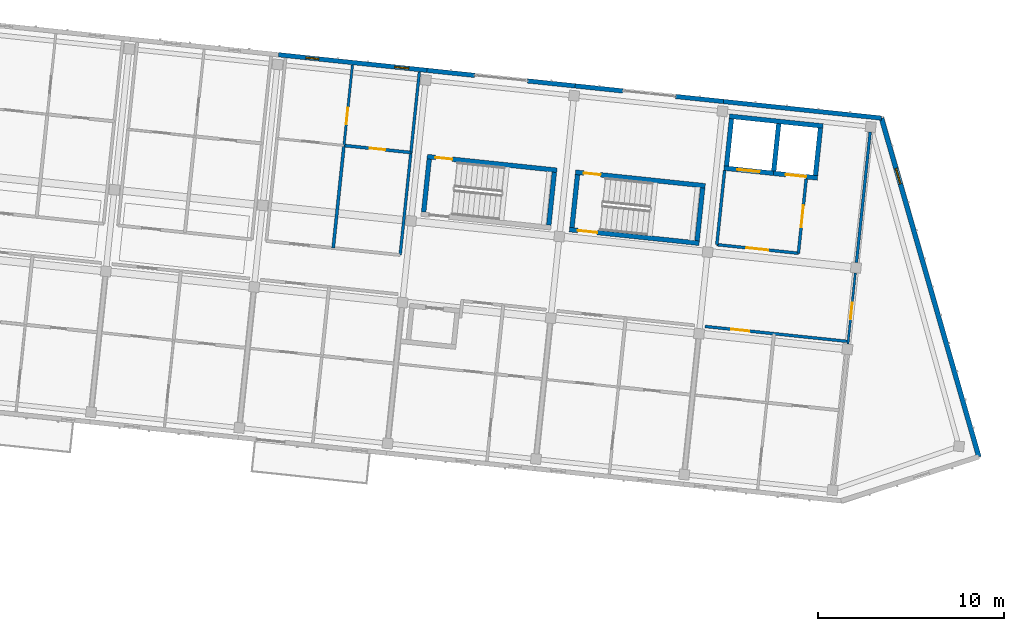
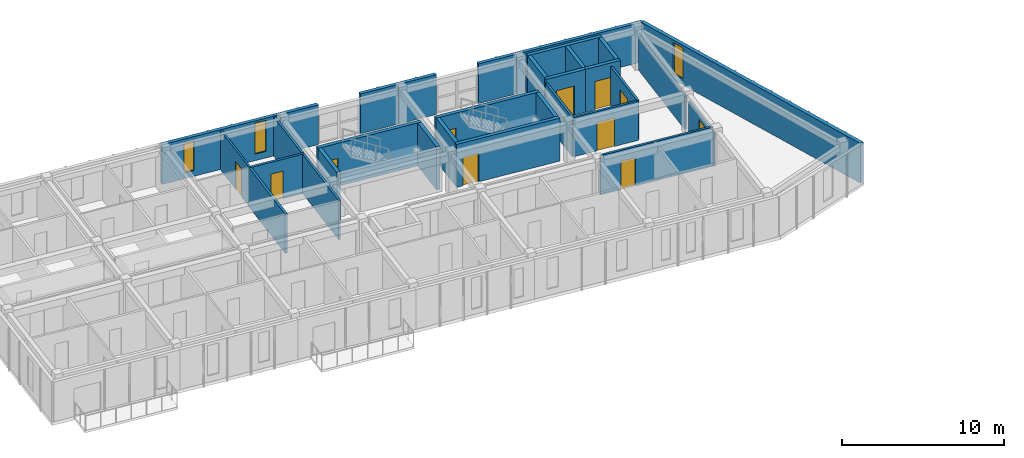
# One storey, part 37 of 65: 30 walls, 11 doors, 3 windows, 14 openings.
"""IFC4 building model written with IfcOpenShell, lengths in metres."""

from ifc_helpers import new_model, si_unit, direction, frame, frame_2d, origin, place, context, subcontext, project, spatial, rectangle, extrude, material, layer, layer_set, type_object, element, fill, save


model = new_model("IFC4")

# Units and contexts
model_context = context("Model", 3, precision=1e-05, world=origin(), true_north=direction((0.0, 1.0)))
body_context = subcontext(model_context, "Body", "Model", "MODEL_VIEW")
ifc_project = project(units=[si_unit("LENGTHUNIT", "METRE"), si_unit("AREAUNIT", "SQUARE_METRE"), si_unit("VOLUMEUNIT", "CUBIC_METRE"), si_unit("PLANEANGLEUNIT", "RADIAN"), si_unit("MASSUNIT", "GRAM", prefix="KILO")], contexts=[model_context])

# Site, building, storey
site_placement = place(None, origin())
site = spatial("IfcSite", under=ifc_project, at=site_placement, CompositionType="ELEMENT")
building_placement = place(site_placement, origin())
building = spatial("IfcBuilding", under=site, at=building_placement, Name="Kestramere Prow Commons", CompositionType="ELEMENT")
storey_placement = place(building_placement, frame((0.0, 0.0, 21.39990234375)))
storey = spatial("IfcBuildingStorey", under=building, at=storey_placement, Name="L06", CompositionType="ELEMENT", Elevation=21.39990234375)

# Wall, opening, window
ifc_material_1 = material(Name="Weathered Zinc-Titanium Standing-Seam Cladding")
ifc_layer_1 = layer(ifc_material_1, 0.260009765625)
ifc_layer_set_1 = layer_set([ifc_layer_1], Name="Weathered Zinc-Titanium Standing-Seam Cladding")
wall_type_1 = type_object("IfcWallType", Name="EW-PROW-260", PredefinedType="SOLIDWALL", material=ifc_layer_set_1)
wall_1_placement = place(storey_placement, frame((160.36279296875, 109.742431640625, 0.0), z_axis=(0.0, 0.0, 1.0), x_axis=(0.276322184526, -0.961065060409, 0.0)))
wall_1 = element("IfcWall", 1, at=wall_1_placement, inside=storey, type_object=wall_type_1, Name="Block B L06 PRW-N Facet Wall", PredefinedType="SOLIDWALL", context=body_context, shape_type="SweptSolid", body=[
    extrude(rectangle(XDim=18.90673828125, YDim=0.260009765625, at=frame_2d((9.453369140625, 0.0))), origin(), (0.0, 0.0, 1.0), 3.0),
])
opening_1_placement = place(wall_1_placement, frame((2.81005859375, 0.0, 0.449951171875)))
opening_1 = element("IfcOpeningElement", 2, at=opening_1_placement, cuts=wall_1, Name="Opening WN-15", PredefinedType="OPENING", context=body_context, shape_type="SweptSolid", body=[
    extrude(rectangle(XDim=0.860107421875, YDim=2.360107421875, at=frame_2d((0.43017578125, 1.18017578125))), frame((0.0, 0.14501953125, 0.0), z_axis=(0.0, -1.0, 0.0), x_axis=(1.0, 0.0, 0.0)), (0.0, 0.0, 1.0), 0.2900390625),
])
ifc_material_2 = material(Name="Low-E Laminated Double Glazing", Category="glass")
window_type_1 = type_object("IfcWindowType", Name="WN-NAR-860A", PartitioningType="DOUBLE_PANEL_VERTICAL", PredefinedType="WINDOW", material=ifc_material_2)
window_1_placement = place(opening_1_placement, origin())
window_1 = element("IfcWindow", 3, at=window_1_placement, inside=storey, type_object=window_type_1, Name="WN-B-L06-PRW-N-0", OverallHeight=2.360107421875, OverallWidth=0.860107421875, PartitioningType="SINGLE_PANEL", PredefinedType="WINDOW", context=body_context, shape_type="SweptSolid", body=[
    extrude(rectangle(XDim=0.860107421875, YDim=2.360107421875, at=frame_2d((0.43017578125, 1.18017578125))), frame((0.0, 0.030029296875, 0.0), z_axis=(0.0, -1.0, 0.0), x_axis=(1.0, 0.0, 0.0)), (0.0, 0.0, 1.0), 0.06005859375),
])
fill(opening_1, window_1)

# Wall, openings, windows
ifc_material_3 = material(Name="Fluoropolymer Standing-Seam Zinc-Aluminium Cladding", Category="aluminium")
ifc_layer_2 = layer(ifc_material_3, 0.239990234375)
ifc_layer_set_2 = layer_set([ifc_layer_2], Name="Fluoropolymer Standing-Seam Zinc-Aluminium Cladding")
wall_type_2 = type_object("IfcWallType", Name="EW-SEAM-240", PredefinedType="SOLIDWALL", material=ifc_layer_set_2)
wall_2_placement = place(storey_placement, frame((128.015869140625, 113.142333984375, 0.0), z_axis=(0.0, 0.0, 1.0), x_axis=(0.994522662826, -0.104521161134, 0.0)))
wall_2 = element("IfcWall", 4, at=wall_2_placement, inside=storey, type_object=wall_type_2, Name="Block B L06 North Standing-Seam Wall 3", PredefinedType="SOLIDWALL", context=body_context, shape_type="SweptSolid", body=[
    extrude(rectangle(XDim=8.0, YDim=0.239990234375, at=frame_2d((4.0, 0.0))), origin(), (0.0, 0.0, 1.0), 3.0),
])
opening_2_placement = place(wall_2_placement, frame((1.47998046875, 0.0, 0.43994140625)))
opening_2 = element("IfcOpeningElement", 5, at=opening_2_placement, cuts=wall_2, Name="Opening WN-06", PredefinedType="OPENING", context=body_context, shape_type="SweptSolid", body=[
    extrude(rectangle(XDim=0.679931640625, YDim=2.239990234375, at=frame_2d((0.33984375, 1.1201171875))), frame((0.0, 0.135009765625, 0.0), z_axis=(0.0, -1.0, 0.0), x_axis=(1.0, 0.0, 0.0)), (0.0, 0.0, 1.0), 0.27001953125),
])
opening_3_placement = place(wall_2_placement, frame((6.2705078125, 0.0, 0.5)))
opening_3 = element("IfcOpeningElement", 6, at=opening_3_placement, cuts=wall_2, Name="Opening WN-10", PredefinedType="OPENING", context=body_context, shape_type="SweptSolid", body=[
    extrude(rectangle(XDim=0.760009765625, YDim=2.340087890625, at=frame_2d((0.3798828125, 1.169921875))), frame((0.0, 0.135009765625, 0.0), z_axis=(0.0, -1.0, 0.0), x_axis=(1.0, 0.0, 0.0)), (0.0, 0.0, 1.0), 0.27001953125),
])
window_type_2 = type_object("IfcWindowType", Name="WN-NAR-680A", PartitioningType="SINGLE_PANEL", PredefinedType="WINDOW", material=ifc_material_2)
window_2_placement = place(opening_2_placement, origin())
window_2 = element("IfcWindow", 7, at=window_2_placement, inside=storey, type_object=window_type_2, Name="WN-B-L06-N-2-0", OverallHeight=2.239990234375, OverallWidth=0.679931640625, PartitioningType="SINGLE_PANEL", PredefinedType="WINDOW", context=body_context, shape_type="SweptSolid", body=[
    extrude(rectangle(XDim=0.679931640625, YDim=2.239990234375, at=frame_2d((0.33984375, 1.1201171875))), frame((0.0, 0.030029296875, 0.0), z_axis=(0.0, -1.0, 0.0), x_axis=(1.0, 0.0, 0.0)), (0.0, 0.0, 1.0), 0.06005859375),
])
fill(opening_2, window_2)
window_type_3 = type_object("IfcWindowType", Name="WN-NAR-760A", PartitioningType="SINGLE_PANEL", PredefinedType="WINDOW", material=ifc_material_2)
window_3_placement = place(opening_3_placement, origin())
window_3 = element("IfcWindow", 8, at=window_3_placement, inside=storey, type_object=window_type_3, Name="WN-B-L06-N-2-1", OverallHeight=2.340087890625, OverallWidth=0.760009765625, PartitioningType="SINGLE_PANEL", PredefinedType="WINDOW", context=body_context, shape_type="SweptSolid", body=[
    extrude(rectangle(XDim=0.760009765625, YDim=2.340087890625, at=frame_2d((0.3798828125, 1.169921875))), frame((0.0, 0.030029296875, 0.0), z_axis=(0.0, -1.0, 0.0), x_axis=(1.0, 0.0, 0.0)), (0.0, 0.0, 1.0), 0.06005859375),
])
fill(opening_3, window_3)

# Walls
for number, where, z_axis, x_axis, name in (
    (9, (135.97216796875, 112.30615234375, 0.0), (0.0, 0.0, 1.0), (0.99451635776, -0.104581136677, 0.0), "Block B L06 North Standing-Seam Pier 4L"),
    (10, (141.367431640625, 111.739013671875, 0.0), (0.0, 0.0, 1.0), (0.99451635776, -0.104581136677, 0.0), "Block B L06 North Standing-Seam Pier 4R"),
):
    element("IfcWall", number, at=place(storey_placement, frame(where, z_axis=z_axis, x_axis=x_axis)), inside=storey, type_object=wall_type_2, Name=name, PredefinedType="SOLIDWALL", context=body_context, shape_type="SweptSolid", body=[
        extrude(rectangle(XDim=2.574951171875, YDim=0.239990234375, at=frame_2d((1.28759765625, 0.0))), origin(), (0.0, 0.0, 1.0), 3.0),
    ])
wall_3_placement = place(storey_placement, frame((143.92822265625, 111.4697265625, 0.0), z_axis=(0.0, 0.0, 1.0), x_axis=(0.994527249958, -0.104477505191, 0.0)))
element("IfcWall", 11, at=wall_3_placement, inside=storey, type_object=wall_type_2, Name="Block B L06 North Standing-Seam Pier 5L", PredefinedType="SOLIDWALL", context=body_context, shape_type="SweptSolid", body=[
    extrude(rectangle(XDim=2.5751953125, YDim=0.239990234375, at=frame_2d((1.28759765625, 0.0))), origin(), (0.0, 0.0, 1.0), 3.0),
])
wall_4_placement = place(storey_placement, frame((149.32373046875, 110.90283203125, 0.0), z_axis=(0.0, 0.0, 1.0), x_axis=(0.99451635776, -0.104581136677, 0.0)))
element("IfcWall", 12, at=wall_4_placement, inside=storey, type_object=wall_type_2, Name="Block B L06 North Standing-Seam Pier 5R", PredefinedType="SOLIDWALL", context=body_context, shape_type="SweptSolid", body=[
    extrude(rectangle(XDim=2.574951171875, YDim=0.239990234375, at=frame_2d((1.28759765625, 0.0))), origin(), (0.0, 0.0, 1.0), 3.0),
])
wall_5_placement = place(storey_placement, frame((151.884521484375, 110.633544921875, 0.0), z_axis=(0.0, 0.0, 1.0), x_axis=(0.994521760736, -0.104529744196, 0.0)))
element("IfcWall", 13, at=wall_5_placement, inside=storey, type_object=wall_type_2, Name="Block B L06 North Standing-Seam Wall 6", PredefinedType="SOLIDWALL", context=body_context, shape_type="SweptSolid", body=[
    extrude(rectangle(XDim=8.52490234375, YDim=0.239990234375, at=frame_2d((4.262451171875, 0.0))), origin(), (0.0, 0.0, 1.0), 3.0),
])
ifc_material_4 = material(Name="Concrete C40/50", Category="concrete")
ifc_layer_3 = layer(ifc_material_4, 0.25)
ifc_layer_set_3 = layer_set([ifc_layer_3], Name="Concrete C40/50")
wall_type_3 = type_object("IfcWallType", Name="W-CORE-250", PredefinedType="SHEAR", material=ifc_layer_set_3)
wall_6_placement = place(storey_placement, frame((152.203857421875, 109.845947265625, 0.0), z_axis=(0.0, 0.0, 1.0), x_axis=(0.994522922189, -0.104518693261, 0.0)))
element("IfcWall", 14, at=wall_6_placement, inside=storey, type_object=wall_type_3, Name="Block B L06 Lift Core Back Wall", PredefinedType="SHEAR", context=body_context, shape_type="SweptSolid", body=[
    extrude(rectangle(XDim=5.050048828125, YDim=0.25, at=frame_2d((2.52490234375, 0.0))), origin(), (0.0, 0.0, 1.0), 3.25),
])

# Wall, opening, door
wall_7_placement = place(storey_placement, frame((151.9111328125, 107.061279296875, 0.0), z_axis=(0.0, 0.0, 1.0), x_axis=(0.994524939068, -0.104499500343, 0.0)))
wall_7 = element("IfcWall", 15, at=wall_7_placement, inside=storey, type_object=wall_type_3, Name="Block B L06 Fire Lift Shaft Front Wall", PredefinedType="SHEAR", context=body_context, shape_type="SweptSolid", body=[
    extrude(rectangle(XDim=2.675048828125, YDim=0.25, at=frame_2d((1.33740234375, 0.0))), origin(), (0.0, 0.0, 1.0), 3.25),
])
opening_4_placement = place(wall_7_placement, frame((0.719970703125, 0.0, 0.0)))
opening_4 = element("IfcOpeningElement", 16, at=opening_4_placement, cuts=wall_7, Name="Opening LD-02", PredefinedType="OPENING", context=body_context, shape_type="SweptSolid", body=[
    extrude(rectangle(XDim=1.199951171875, YDim=2.199951171875, at=frame_2d((0.60009765625, 1.10009765625))), frame((0.0, 0.139892578125, 0.0), z_axis=(0.0, -1.0, 0.0), x_axis=(1.0, 0.0, 0.0)), (0.0, 0.0, 1.0), 0.280029296875),
])
ifc_material_5 = material(Name="Brushed Stainless Steel 316", Category="steel")
door_type_1 = type_object("IfcDoorType", Name="LD-02", OperationType="DOUBLE_DOOR_SLIDING", PredefinedType="DOOR", material=ifc_material_5)
door_1_placement = place(opening_4_placement, origin())
door_1 = element("IfcDoor", 17, at=door_1_placement, inside=storey, type_object=door_type_1, Name="FL-B1 L06 Lift Landing Door", OperationType="DOUBLE_DOOR_SLIDING", OverallHeight=2.199951171875, OverallWidth=1.199951171875, PredefinedType="DOOR", context=body_context, shape_type="SweptSolid", body=[
    extrude(rectangle(XDim=1.199951171875, YDim=2.199951171875, at=frame_2d((0.60009765625, 1.10009765625))), frame((0.0, 0.02490234375, 0.0), z_axis=(0.0, -1.0, 0.0), x_axis=(1.0, 0.0, 0.0)), (0.0, 0.0, 1.0), 0.050048828125),
])
fill(opening_4, door_1)

wall_8_placement = place(storey_placement, frame((154.571533203125, 106.78173828125, 0.0), z_axis=(0.0, 0.0, 1.0), x_axis=(0.994520650134, -0.1045403102, 0.0)))
wall_8 = element("IfcWall", 18, at=wall_8_placement, inside=storey, type_object=wall_type_3, Name="Block B L06 Passenger Lift Shaft Front Wall", PredefinedType="SHEAR", context=body_context, shape_type="SweptSolid", body=[
    extrude(rectangle(XDim=2.375, YDim=0.25, at=frame_2d((1.1875, 0.0))), origin(), (0.0, 0.0, 1.0), 3.25),
])
opening_5_placement = place(wall_8_placement, frame((0.64990234375, 0.0, 0.0)))
opening_5 = element("IfcOpeningElement", 19, at=opening_5_placement, cuts=wall_8, Name="Opening LD-01", PredefinedType="OPENING", context=body_context, shape_type="SweptSolid", body=[
    extrude(rectangle(XDim=1.10009765625, YDim=2.14990234375, at=frame_2d((0.550048828125, 1.074951171875))), frame((0.0, 0.139892578125, 0.0), z_axis=(0.0, -1.0, 0.0), x_axis=(1.0, 0.0, 0.0)), (0.0, 0.0, 1.0), 0.280029296875),
])
ifc_material_6 = material(Name="Brushed Stainless Steel 304", Category="steel")
door_type_2 = type_object("IfcDoorType", Name="LD-01", OperationType="DOUBLE_DOOR_SLIDING", PredefinedType="DOOR", material=ifc_material_6)
door_2_placement = place(opening_5_placement, origin())
door_2 = element("IfcDoor", 20, at=door_2_placement, inside=storey, type_object=door_type_2, Name="PL-B2 L06 Lift Landing Door", OperationType="DOUBLE_DOOR_SLIDING", OverallHeight=2.14990234375, OverallWidth=1.10009765625, PredefinedType="DOOR", context=body_context, shape_type="SweptSolid", body=[
    extrude(rectangle(XDim=1.10009765625, YDim=2.14990234375, at=frame_2d((0.550048828125, 1.074951171875))), frame((0.0, 0.02490234375, 0.0), z_axis=(0.0, -1.0, 0.0), x_axis=(1.0, 0.0, 0.0)), (0.0, 0.0, 1.0), 0.050048828125),
])
fill(opening_5, door_2)

# Walls
for number, where, z_axis, x_axis, name in (
    (21, (152.048583984375, 107.172607421875, 0.0), (0.0, 0.0, 1.0), (0.104555197931, 0.994519085079, 0.0), "Block B L06 Lift Core Side Wall L"),
    (22, (154.584716796875, 106.906005859375, 0.0), (0.0, 0.0, 1.0), (0.104555197931, 0.994519085079, 0.0), "Block B L06 Lift Core Side Wall M"),
):
    element("IfcWall", number, at=place(storey_placement, frame(where, z_axis=z_axis, x_axis=x_axis)), inside=storey, type_object=wall_type_3, Name=name, PredefinedType="SHEAR", context=body_context, shape_type="SweptSolid", body=[
        extrude(rectangle(XDim=2.5498046875, YDim=0.25, at=frame_2d((1.27490234375, 0.0))), origin(), (0.0, 0.0, 1.0), 3.25),
    ])
wall_9_placement = place(storey_placement, frame((156.822265625, 106.670654296875, 0.0), z_axis=(0.0, 0.0, 1.0), x_axis=(0.104545242946, 0.99452013161, 0.0)))
element("IfcWall", 23, at=wall_9_placement, inside=storey, type_object=wall_type_3, Name="Block B L06 Lift Core Side Wall R", PredefinedType="SHEAR", context=body_context, shape_type="SweptSolid", body=[
    extrude(rectangle(XDim=2.550048828125, YDim=0.25, at=frame_2d((1.27490234375, 0.0))), origin(), (0.0, 0.0, 1.0), 3.25),
])

# Wall, opening, door
wall_10_placement = place(storey_placement, frame((135.988525390625, 107.678955078125, 0.0), z_axis=(0.0, 0.0, 1.0), x_axis=(0.994522066748, -0.104526832686, 0.0)))
wall_10 = element("IfcWall", 24, at=wall_10_placement, inside=storey, type_object=wall_type_3, Name="ST-B1 L06 North Shaft Wall", PredefinedType="SHEAR", context=body_context, shape_type="SweptSolid", body=[
    extrude(rectangle(XDim=7.0, YDim=0.25, at=frame_2d((3.5, 0.0))), origin(), (0.0, 0.0, 1.0), 3.25),
])
opening_6_placement = place(wall_10_placement, frame((0.449951171875, 0.0, 0.0)))
opening_6 = element("IfcOpeningElement", 25, at=opening_6_placement, cuts=wall_10, Name="Opening ID-08", PredefinedType="OPENING", context=body_context, shape_type="SweptSolid", body=[
    extrude(rectangle(XDim=0.89990234375, YDim=2.10009765625, at=frame_2d((0.449951171875, 1.050048828125))), frame((0.0, 0.139892578125, 0.0), z_axis=(0.0, -1.0, 0.0), x_axis=(1.0, 0.0, 0.0)), (0.0, 0.0, 1.0), 0.280029296875),
])
ifc_material_7 = material(Name="Engineered Timber Flush Door", Category="wood")
door_type_3 = type_object("IfcDoorType", Name="D-RM-01", OperationType="NOTDEFINED", PredefinedType="DOOR", material=ifc_material_7)
door_3_placement = place(opening_6_placement, origin())
door_3 = element("IfcDoor", 26, at=door_3_placement, inside=storey, type_object=door_type_3, Name="ST-B1 L06 North Room Door", OperationType="SINGLE_SWING_RIGHT", OverallHeight=2.10009765625, OverallWidth=0.89990234375, PredefinedType="DOOR", context=body_context, shape_type="SweptSolid", body=[
    extrude(rectangle(XDim=0.89990234375, YDim=2.10009765625, at=frame_2d((0.449951171875, 1.050048828125))), frame((0.0, 0.02490234375, 0.0), z_axis=(0.0, -1.0, 0.0), x_axis=(1.0, 0.0, 0.0)), (0.0, 0.0, 1.0), 0.050048828125),
])
fill(opening_6, door_3)

# Walls
for number, where, z_axis, x_axis, name in (
    (27, (135.802001953125, 104.707275390625, 0.0), (0.0, 0.0, 1.0), (0.104515324063, 0.994523276267, 0.0), "ST-B1 L06 Near Shaft Wall"),
    (28, (142.514892578125, 104.001708984375, 0.0), (0.0, 0.0, 1.0), (0.104515324063, 0.994523276267, 0.0), "ST-B1 L06 Far Shaft Wall"),
):
    element("IfcWall", number, at=place(storey_placement, frame(where, z_axis=z_axis, x_axis=x_axis)), inside=storey, type_object=wall_type_3, Name=name, PredefinedType="SHEAR", context=body_context, shape_type="SweptSolid", body=[
        extrude(rectangle(XDim=2.849853515625, YDim=0.25, at=frame_2d((1.4248046875, 0.0))), origin(), (0.0, 0.0, 1.0), 3.25),
    ])

# Wall, opening, door
wall_11_placement = place(storey_placement, frame((143.94482421875, 106.8427734375, 0.0), z_axis=(0.0, 0.0, 1.0), x_axis=(0.994522066748, -0.104526832686, 0.0)))
wall_11 = element("IfcWall", 29, at=wall_11_placement, inside=storey, type_object=wall_type_3, Name="ST-B2 L06 North Shaft Wall", PredefinedType="SHEAR", context=body_context, shape_type="SweptSolid", body=[
    extrude(rectangle(XDim=7.0, YDim=0.25, at=frame_2d((3.5, 0.0))), origin(), (0.0, 0.0, 1.0), 3.25),
])
opening_7_placement = place(wall_11_placement, frame((0.449951171875, 0.0, 0.0)))
opening_7 = element("IfcOpeningElement", 30, at=opening_7_placement, cuts=wall_11, Name="Opening ID-08", PredefinedType="OPENING", context=body_context, shape_type="SweptSolid", body=[
    extrude(rectangle(XDim=0.89990234375, YDim=2.10009765625, at=frame_2d((0.449951171875, 1.050048828125))), frame((0.0, 0.139892578125, 0.0), z_axis=(0.0, -1.0, 0.0), x_axis=(1.0, 0.0, 0.0)), (0.0, 0.0, 1.0), 0.280029296875),
])
door_4_placement = place(opening_7_placement, origin())
door_4 = element("IfcDoor", 31, at=door_4_placement, inside=storey, type_object=door_type_3, Name="ST-B2 L06 North Room Door", OperationType="SINGLE_SWING_RIGHT", OverallHeight=2.10009765625, OverallWidth=0.89990234375, PredefinedType="DOOR", context=body_context, shape_type="SweptSolid", body=[
    extrude(rectangle(XDim=0.89990234375, YDim=2.10009765625, at=frame_2d((0.449951171875, 1.050048828125))), frame((0.0, 0.02490234375, 0.0), z_axis=(0.0, -1.0, 0.0), x_axis=(1.0, 0.0, 0.0)), (0.0, 0.0, 1.0), 0.050048828125),
])
fill(opening_7, door_4)

wall_12_placement = place(storey_placement, frame((143.62060546875, 103.759765625, 0.0), z_axis=(0.0, 0.0, 1.0), x_axis=(0.994522066748, -0.104526832686, 0.0)))
wall_12 = element("IfcWall", 32, at=wall_12_placement, inside=storey, type_object=wall_type_3, Name="ST-B2 L06 Corridor Shaft Wall", PredefinedType="SHEAR", context=body_context, shape_type="SweptSolid", body=[
    extrude(rectangle(XDim=7.0, YDim=0.25, at=frame_2d((3.5, 0.0))), origin(), (0.0, 0.0, 1.0), 3.25),
])
opening_8_placement = place(wall_12_placement, frame((0.449951171875, 0.0, 0.0)))
opening_8 = element("IfcOpeningElement", 33, at=opening_8_placement, cuts=wall_12, Name="Opening ID-01", PredefinedType="OPENING", context=body_context, shape_type="SweptSolid", body=[
    extrude(rectangle(XDim=1.050048828125, YDim=2.14990234375, at=frame_2d((0.52490234375, 1.074951171875))), frame((0.0, 0.139892578125, 0.0), z_axis=(0.0, -1.0, 0.0), x_axis=(1.0, 0.0, 0.0)), (0.0, 0.0, 1.0), 0.280029296875),
])
ifc_material_8 = material(Name="Fire-Rated Timber and Steel Frame", Category="steel")
door_type_4 = type_object("IfcDoorType", Name="FD-ST-01", OperationType="NOTDEFINED", PredefinedType="DOOR", material=ifc_material_8)
door_5_placement = place(opening_8_placement, origin())
door_5 = element("IfcDoor", 34, at=door_5_placement, inside=storey, type_object=door_type_4, Name="ST-B2 L06 Protected Stair Door", OperationType="SINGLE_SWING_LEFT", OverallHeight=2.14990234375, OverallWidth=1.050048828125, PredefinedType="DOOR", context=body_context, shape_type="SweptSolid", body=[
    extrude(rectangle(XDim=1.050048828125, YDim=2.14990234375, at=frame_2d((0.52490234375, 1.074951171875))), frame((0.0, 0.02490234375, 0.0), z_axis=(0.0, -1.0, 0.0), x_axis=(1.0, 0.0, 0.0)), (0.0, 0.0, 1.0), 0.050048828125),
])
fill(opening_8, door_5)

# Walls
for number, where, z_axis, x_axis, name in (
    (35, (143.758056640625, 103.87109375, 0.0), (0.0, 0.0, 1.0), (0.104515324063, 0.994523276267, 0.0), "ST-B2 L06 Near Shaft Wall"),
    (36, (150.47119140625, 103.16552734375, 0.0), (0.0, 0.0, 1.0), (0.104515324063, 0.994523276267, 0.0), "ST-B2 L06 Far Shaft Wall"),
):
    element("IfcWall", number, at=place(storey_placement, frame(where, z_axis=z_axis, x_axis=x_axis)), inside=storey, type_object=wall_type_3, Name=name, PredefinedType="SHEAR", context=body_context, shape_type="SweptSolid", body=[
        extrude(rectangle(XDim=2.849853515625, YDim=0.25, at=frame_2d((1.4248046875, 0.0))), origin(), (0.0, 0.0, 1.0), 3.25),
    ])

# Wall, opening, door
ifc_material_9 = material(Name="Fire-Rated Calcium Silicate Wall")
ifc_layer_4 = layer(ifc_material_9, 0.155029296875)
ifc_layer_set_4 = layer_set([ifc_layer_4], Name="Fire-Rated Calcium Silicate Wall")
wall_type_4 = type_object("IfcWallType", Name="W-FIRE-150", PredefinedType="PARTITIONING", material=ifc_layer_set_4)
wall_13_placement = place(storey_placement, frame((151.52978515625, 102.95361328125, 0.0), z_axis=(0.0, 0.0, 1.0), x_axis=(0.994521251134, -0.104534592565, 0.0)))
wall_13 = element("IfcWall", 37, at=wall_13_placement, inside=storey, type_object=wall_type_4, Name="Interior Partition PW-B-L06-FFL-S", PredefinedType="PARTITIONING", context=body_context, shape_type="SweptSolid", body=[
    extrude(rectangle(XDim=4.400146484375, YDim=0.155029296875, at=frame_2d((2.2001953125, 0.0))), origin(), (0.0, 0.0, 1.0), 2.97021484375),
])
opening_9_placement = place(wall_13_placement, frame((1.60009765625, 0.0, 0.0)))
opening_9 = element("IfcOpeningElement", 38, at=opening_9_placement, cuts=wall_13, Name="Opening ID-03", PredefinedType="OPENING", context=body_context, shape_type="SweptSolid", body=[
    extrude(rectangle(XDim=1.179931640625, YDim=2.14990234375, at=frame_2d((0.58984375, 1.074951171875))), frame((0.0, 0.092529296875, 0.0), z_axis=(0.0, -1.0, 0.0), x_axis=(1.0, 0.0, 0.0)), (0.0, 0.0, 1.0), 0.18505859375),
])
ifc_material_10 = material(Name="Fire-Rated Glazed Smoke-Stop Door")
door_type_5 = type_object("IfcDoorType", Name="FD-LB-01", OperationType="NOTDEFINED", PredefinedType="DOOR", material=ifc_material_10)
door_6_placement = place(opening_9_placement, origin())
door_6 = element("IfcDoor", 39, at=door_6_placement, inside=storey, type_object=door_type_5, Name="Interior Door DR-B-L06-FFL", OperationType="SINGLE_SWING_LEFT", OverallHeight=2.14990234375, OverallWidth=1.179931640625, PredefinedType="DOOR", context=body_context, shape_type="SweptSolid", body=[
    extrude(rectangle(XDim=1.179931640625, YDim=2.14990234375, at=frame_2d((0.58984375, 1.074951171875))), frame((0.0, 0.02490234375, 0.0), z_axis=(0.0, -1.0, 0.0), x_axis=(1.0, 0.0, 0.0)), (0.0, 0.0, 1.0), 0.050048828125),
])
fill(opening_9, door_6)

# Wall
wall_14_placement = place(storey_placement, frame((151.52978515625, 102.95361328125, 0.0), z_axis=(0.0, 0.0, 1.0), x_axis=(0.104554517933, 0.994519156568, 0.0)))
element("IfcWall", 40, at=wall_14_placement, inside=storey, type_object=wall_type_4, Name="Interior Partition PW-B-L06-FFL-W", PredefinedType="PARTITIONING", context=body_context, shape_type="SweptSolid", body=[
    extrude(rectangle(XDim=4.0, YDim=0.155029296875, at=frame_2d((2.0, 0.0))), origin(), (0.0, 0.0, 1.0), 2.97021484375),
])

# Wall, opening, door
wall_15_placement = place(storey_placement, frame((155.90576171875, 102.49365234375, 0.0), z_axis=(0.0, 0.0, 1.0), x_axis=(0.104494148666, 0.99452550138, 0.0)))
wall_15 = element("IfcWall", 41, at=wall_15_placement, inside=storey, type_object=wall_type_4, Name="Interior Partition PW-B-L06-FFL-E", PredefinedType="PARTITIONING", context=body_context, shape_type="SweptSolid", body=[
    extrude(rectangle(XDim=4.0, YDim=0.155029296875, at=frame_2d((2.0, 0.0))), origin(), (0.0, 0.0, 1.0), 2.97021484375),
])
opening_10_placement = place(wall_15_placement, frame((1.39990234375, 0.0, 0.0)))
opening_10 = element("IfcOpeningElement", 42, at=opening_10_placement, cuts=wall_15, Name="Opening ID-03", PredefinedType="OPENING", context=body_context, shape_type="SweptSolid", body=[
    extrude(rectangle(XDim=1.179931640625, YDim=2.14990234375, at=frame_2d((0.58984375, 1.074951171875))), frame((0.0, 0.092529296875, 0.0), z_axis=(0.0, -1.0, 0.0), x_axis=(1.0, 0.0, 0.0)), (0.0, 0.0, 1.0), 0.18505859375),
])
door_7_placement = place(opening_10_placement, origin())
door_7 = element("IfcDoor", 43, at=door_7_placement, inside=storey, type_object=door_type_5, Name="Interior Door DR-B-L06-FFL-PL", OperationType="SINGLE_SWING_LEFT", OverallHeight=2.14990234375, OverallWidth=1.179931640625, PredefinedType="DOOR", context=body_context, shape_type="SweptSolid", body=[
    extrude(rectangle(XDim=1.179931640625, YDim=2.14990234375, at=frame_2d((0.58984375, 1.074951171875))), frame((0.0, 0.02490234375, 0.0), z_axis=(0.0, -1.0, 0.0), x_axis=(1.0, 0.0, 0.0)), (0.0, 0.0, 1.0), 0.050048828125),
])
fill(opening_10, door_7)

wall_16_placement = place(storey_placement, frame((150.902587890625, 98.565185546875, 0.0), z_axis=(0.0, 0.0, 1.0), x_axis=(0.994522762445, -0.104520213258, 0.0)))
wall_16 = element("IfcWall", 44, at=wall_16_placement, inside=storey, type_object=wall_type_4, Name="Interior Partition PW-B-L06-CS-5", PredefinedType="PARTITIONING", context=body_context, shape_type="SweptSolid", body=[
    extrude(rectangle(XDim=7.645263671875, YDim=0.155029296875, at=frame_2d((3.82275390625, 0.0))), origin(), (0.0, 0.0, 1.0), 2.97021484375),
])
opening_11_placement = place(wall_16_placement, frame((1.405029296875, 0.0, 0.0)))
opening_11 = element("IfcOpeningElement", 45, at=opening_11_placement, cuts=wall_16, Name="Opening ID-04", PredefinedType="OPENING", context=body_context, shape_type="SweptSolid", body=[
    extrude(rectangle(XDim=0.97998046875, YDim=2.14990234375, at=frame_2d((0.489990234375, 1.074951171875))), frame((0.0, 0.092529296875, 0.0), z_axis=(0.0, -1.0, 0.0), x_axis=(1.0, 0.0, 0.0)), (0.0, 0.0, 1.0), 0.18505859375),
])
ifc_material_11 = material(Name="Hardwood Fire-Rated Flat Entrance Door", Category="wood")
door_type_6 = type_object("IfcDoorType", Name="FD-ENT-01", OperationType="NOTDEFINED", PredefinedType="DOOR", material=ifc_material_11)
door_8_placement = place(opening_11_placement, origin())
door_8 = element("IfcDoor", 46, at=door_8_placement, inside=storey, type_object=door_type_6, Name="Interior Door DR-B-L06-ENT-S5", OperationType="SINGLE_SWING_RIGHT", OverallHeight=2.14990234375, OverallWidth=0.97998046875, PredefinedType="DOOR", context=body_context, shape_type="SweptSolid", body=[
    extrude(rectangle(XDim=0.97998046875, YDim=2.14990234375, at=frame_2d((0.489990234375, 1.074951171875))), frame((0.0, 0.02490234375, 0.0), z_axis=(0.0, -1.0, 0.0), x_axis=(1.0, 0.0, 0.0)), (0.0, 0.0, 1.0), 0.050048828125),
])
fill(opening_11, door_8)

ifc_material_12 = material(Name="Lightweight Blockwork and Plaster", Category="masonry")
ifc_layer_5 = layer(ifc_material_12, 0.1201171875)
ifc_layer_set_5 = layer_set([ifc_layer_5], Name="Lightweight Blockwork and Plaster")
wall_type_5 = type_object("IfcWallType", Name="W-PART-120", PredefinedType="PARTITIONING", material=ifc_layer_set_5)
wall_17_placement = place(storey_placement, frame((158.561279296875, 97.62451171875, 0.0), z_axis=(0.0, 0.0, 1.0), x_axis=(0.104545412893, 0.994520113745, 0.0)))
wall_17 = element("IfcWall", 47, at=wall_17_placement, inside=storey, type_object=wall_type_5, Name="Interior Partition PW-B-L06-PROW-ACC", PredefinedType="PARTITIONING", context=body_context, shape_type="SweptSolid", body=[
    extrude(rectangle(XDim=3.829833984375, YDim=0.1201171875, at=frame_2d((1.9150390625, 0.0))), origin(), (0.0, 0.0, 1.0), 2.5),
])
opening_12_placement = place(wall_17_placement, frame((1.35009765625, 0.0, 0.0)))
opening_12 = element("IfcOpeningElement", 48, at=opening_12_placement, cuts=wall_17, Name="Opening ID-10", PredefinedType="OPENING", context=body_context, shape_type="SweptSolid", body=[
    extrude(rectangle(XDim=0.8798828125, YDim=2.10009765625, at=frame_2d((0.43994140625, 1.050048828125))), frame((0.0, 0.074951171875, 0.0), z_axis=(0.0, -1.0, 0.0), x_axis=(1.0, 0.0, 0.0)), (0.0, 0.0, 1.0), 0.150146484375),
])
ifc_material_13 = material(Name="Engineered Timber Bedroom Door", Category="wood")
door_type_7 = type_object("IfcDoorType", Name="D-RM-03", OperationType="NOTDEFINED", PredefinedType="DOOR", material=ifc_material_13)
door_9_placement = place(opening_12_placement, origin())
door_9 = element("IfcDoor", 49, at=door_9_placement, inside=storey, type_object=door_type_7, Name="Interior Door DR-B-L06-PROW", OperationType="SINGLE_SWING_LEFT", OverallHeight=2.10009765625, OverallWidth=0.8798828125, PredefinedType="DOOR", context=body_context, shape_type="SweptSolid", body=[
    extrude(rectangle(XDim=0.8798828125, YDim=2.10009765625, at=frame_2d((0.43994140625, 1.050048828125))), frame((0.0, 0.02490234375, 0.0), z_axis=(0.0, -1.0, 0.0), x_axis=(1.0, 0.0, 0.0)), (0.0, 0.0, 1.0), 0.050048828125),
])
fill(opening_12, door_9)

ifc_layer_6 = layer(ifc_material_12, 0.1298828125)
ifc_layer_set_6 = layer_set([ifc_layer_6], Name="Lightweight Blockwork and Plaster")
wall_type_6 = type_object("IfcWallType", Name="W-PART-130", PredefinedType="PARTITIONING", material=ifc_layer_set_6)
wall_18_placement = place(storey_placement, frame((131.5263671875, 108.273681640625, 0.0), z_axis=(0.0, 0.0, 1.0), x_axis=(0.104520797474, 0.994522701046, 0.0)))
wall_18 = element("IfcWall", 50, at=wall_18_placement, inside=storey, type_object=wall_type_6, Name="Interior Partition PW-B-L06-LB-N2", PredefinedType="PARTITIONING", context=body_context, shape_type="SweptSolid", body=[
    extrude(rectangle(XDim=4.33984375, YDim=0.1298828125, at=frame_2d((2.169921875, 0.0))), origin(), (0.0, 0.0, 1.0), 2.97021484375),
])
opening_13_placement = place(wall_18_placement, frame((1.14990234375, 0.0, 0.0)))
opening_13 = element("IfcOpeningElement", 51, at=opening_13_placement, cuts=wall_18, Name="Opening ID-10", PredefinedType="OPENING", context=body_context, shape_type="SweptSolid", body=[
    extrude(rectangle(XDim=0.8798828125, YDim=2.10009765625, at=frame_2d((0.43994140625, 1.050048828125))), frame((0.0, 0.079833984375, 0.0), z_axis=(0.0, -1.0, 0.0), x_axis=(1.0, 0.0, 0.0)), (0.0, 0.0, 1.0), 0.159912109375),
])
door_10_placement = place(opening_13_placement, origin())
door_10 = element("IfcDoor", 52, at=door_10_placement, inside=storey, type_object=door_type_7, Name="Interior Door DR-B-L06-BED-N2", OperationType="SINGLE_SWING_LEFT", OverallHeight=2.10009765625, OverallWidth=0.8798828125, PredefinedType="DOOR", context=body_context, shape_type="SweptSolid", body=[
    extrude(rectangle(XDim=0.8798828125, YDim=2.10009765625, at=frame_2d((0.43994140625, 1.050048828125))), frame((0.0, 0.02490234375, 0.0), z_axis=(0.0, -1.0, 0.0), x_axis=(1.0, 0.0, 0.0)), (0.0, 0.0, 1.0), 0.050048828125),
])
fill(opening_13, door_10)

# Walls
ifc_material_14 = material(Name="Masonry Compartment Wall", Category="masonry")
ifc_layer_7 = layer(ifc_material_14, 0.14990234375)
ifc_layer_set_7 = layer_set([ifc_layer_7], Name="Masonry Compartment Wall")
wall_type_7 = type_object("IfcWallType", Name="W-PART-150", PredefinedType="PARTITIONING", material=ifc_layer_set_7)
wall_19_placement = place(storey_placement, frame((159.021240234375, 102.000244140625, 0.0), z_axis=(0.0, 0.0, 1.0), x_axis=(0.10452931889, 0.994521805438, 0.0)))
element("IfcWall", 53, at=wall_19_placement, inside=storey, type_object=wall_type_7, Name="Interior Partition PW-B-L06-PRW-N", PredefinedType="PARTITIONING", context=body_context, shape_type="SweptSolid", body=[
    extrude(rectangle(XDim=7.0302734375, YDim=0.14990234375, at=frame_2d((3.51513671875, 0.0))), origin(), (0.0, 0.0, 1.0), 2.5),
])
wall_20_placement = place(storey_placement, frame((134.53857421875, 102.396728515625, 0.0), z_axis=(0.0, 0.0, 1.0), x_axis=(0.104508379977, 0.994524006002, 0.0)))
element("IfcWall", 54, at=wall_20_placement, inside=storey, type_object=wall_type_7, Name="Interior Partition PW-B-L06-NWR-2", PredefinedType="PARTITIONING", context=body_context, shape_type="SweptSolid", body=[
    extrude(rectangle(XDim=9.869873046875, YDim=0.14990234375, at=frame_2d((4.93505859375, 0.0))), origin(), (0.0, 0.0, 1.0), 2.97021484375),
])

# Wall, opening, door
ifc_material_15 = material(Name="Waterproof Sanitary Masonry Wall", Category="masonry")
ifc_layer_8 = layer(ifc_material_15, 0.1650390625)
ifc_layer_set_8 = layer_set([ifc_layer_8], Name="Waterproof Sanitary Masonry Wall")
wall_type_8 = type_object("IfcWallType", Name="W-PLUMB-150", PredefinedType="PLUMBINGWALL", material=ifc_layer_set_8)
wall_21_placement = place(storey_placement, frame((131.5263671875, 108.273681640625, 0.0), z_axis=(0.0, 0.0, 1.0), x_axis=(0.994518785821, -0.104558044398, 0.0)))
wall_21 = element("IfcWall", 55, at=wall_21_placement, inside=storey, type_object=wall_type_8, Name="Interior Partition PW-B-L06-MIDN2-2", PredefinedType="PLUMBINGWALL", context=body_context, shape_type="SweptSolid", body=[
    extrude(rectangle(XDim=3.60986328125, YDim=0.1650390625, at=frame_2d((1.804931640625, 0.0))), origin(), (0.0, 0.0, 1.0), 2.97021484375),
])
opening_14_placement = place(wall_21_placement, frame((1.39501953125, 0.0, 0.0)))
opening_14 = element("IfcOpeningElement", 56, at=opening_14_placement, cuts=wall_21, Name="Opening ID-11", PredefinedType="OPENING", context=body_context, shape_type="SweptSolid", body=[
    extrude(rectangle(XDim=0.820068359375, YDim=2.080078125, at=frame_2d((0.41015625, 1.0400390625))), frame((0.0, 0.097412109375, 0.0), z_axis=(0.0, -1.0, 0.0), x_axis=(1.0, 0.0, 0.0)), (0.0, 0.0, 1.0), 0.195068359375),
])
ifc_material_16 = material(Name="Moisture-Resistant Timber Bathroom Door", Category="wood")
door_type_8 = type_object("IfcDoorType", Name="D-BT-01", OperationType="NOTDEFINED", PredefinedType="DOOR", material=ifc_material_16)
door_11_placement = place(opening_14_placement, origin())
door_11 = element("IfcDoor", 57, at=door_11_placement, inside=storey, type_object=door_type_8, Name="Interior Door DR-B-L06-BTH-N2", OperationType="SINGLE_SWING_RIGHT", OverallHeight=2.080078125, OverallWidth=0.820068359375, PredefinedType="DOOR", context=body_context, shape_type="SweptSolid", body=[
    extrude(rectangle(XDim=0.820068359375, YDim=2.080078125, at=frame_2d((0.41015625, 1.0400390625))), frame((0.0, 0.02490234375, 0.0), z_axis=(0.0, -1.0, 0.0), x_axis=(1.0, 0.0, 0.0)), (0.0, 0.0, 1.0), 0.050048828125),
])
fill(opening_14, door_11)

# Wall
wall_22_placement = place(storey_placement, frame((130.9482421875, 102.77392578125, 0.0), z_axis=(0.0, 0.0, 1.0), x_axis=(0.104542300532, 0.994520440916, 0.0)))
element("IfcWall", 58, at=wall_22_placement, inside=storey, type_object=wall_type_8, Name="Interior Partition PW-B-L06-KB-N2", PredefinedType="PLUMBINGWALL", context=body_context, shape_type="SweptSolid", body=[
    extrude(rectangle(XDim=5.530029296875, YDim=0.1650390625, at=frame_2d((2.76513671875, 0.0))), origin(), (0.0, 0.0, 1.0), 2.97021484375),
])

save(model, "model.ifc")
